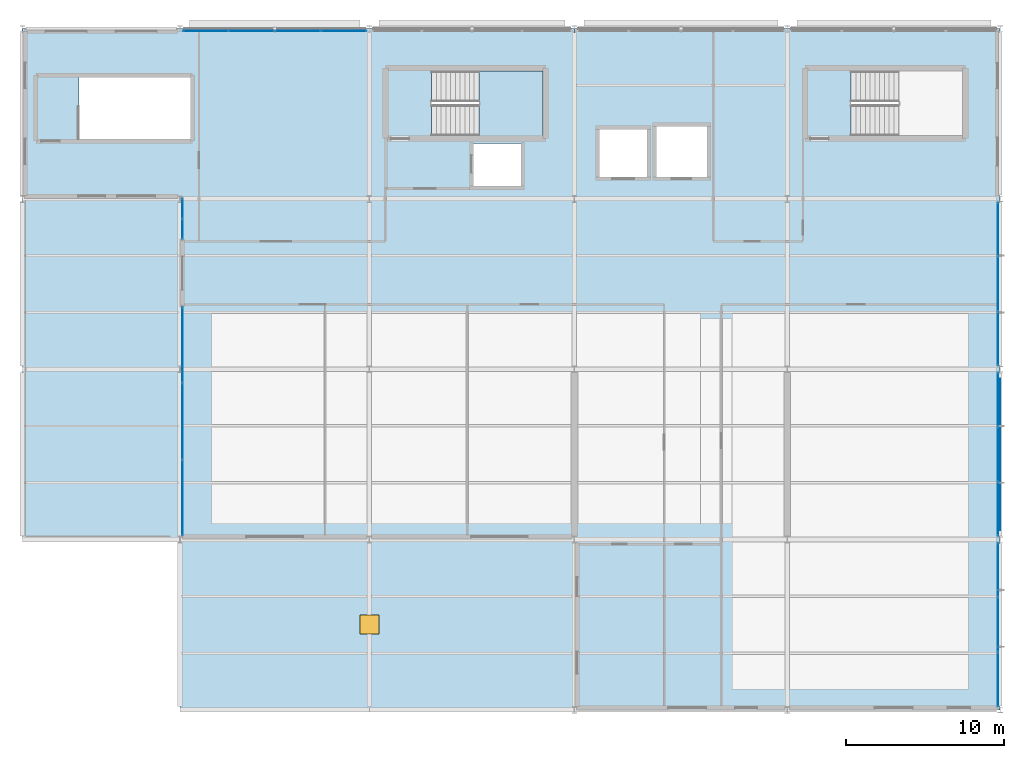
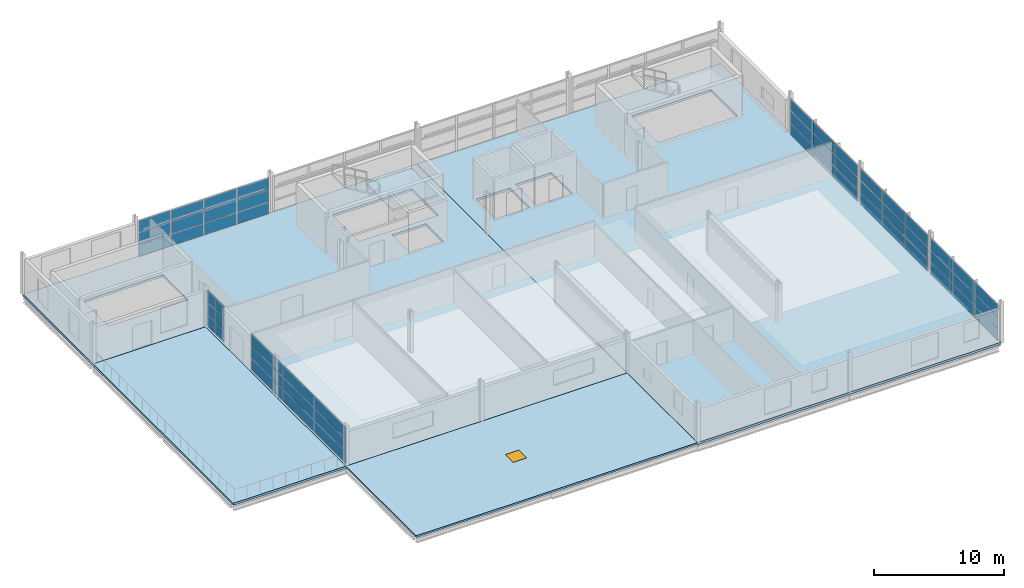
# One storey, part 26 of 33: 55 plates, 5 slabs, 1 window, 1 opening, 7 elements without a shape of their own.
"""IFC4 building model written with IfcOpenShell, lengths in metres."""

from ifc_helpers import new_model, si_unit, direction, frame, origin, origin_2d, place, context, subcontext, project, spatial, polyline, rectangle, outline, extrude, material, layer, layer_set, type_object, element, fill, aggregate, save


model = new_model("IFC4")

# Units and contexts
model_context = context("Model", 3, precision=1e-05, world=origin(), true_north=direction((0.0, 1.0)))
body_context = subcontext(model_context, "Body", "Model", "MODEL_VIEW")
ifc_project = project(units=[si_unit("LENGTHUNIT", "METRE"), si_unit("AREAUNIT", "SQUARE_METRE"), si_unit("VOLUMEUNIT", "CUBIC_METRE"), si_unit("PLANEANGLEUNIT", "RADIAN"), si_unit("MASSUNIT", "GRAM", prefix="KILO")], contexts=[model_context])

# Site, building, storey
site_placement = place(None, origin())
site = spatial("IfcSite", under=ifc_project, at=site_placement, CompositionType="ELEMENT")
building_placement = place(site_placement, origin())
building = spatial("IfcBuilding", under=site, at=building_placement, Name="Tamarisk Ironworks Central Station", CompositionType="ELEMENT")
storey_placement = place(building_placement, frame((0.0, 0.0, 21.300048828125)))
storey = spatial("IfcBuildingStorey", under=building, at=storey_placement, Name="L04", CompositionType="ELEMENT", Elevation=21.300048828125)

# Curtain wall, plates
ifc_material_1 = material(Name="Anodized aluminium alloy 6063-T6", Category="aluminium")
ifc_layer_1 = layer(ifc_material_1, 0.179931640625)
ifc_layer_set_1 = layer_set([ifc_layer_1], Name="Anodized aluminium alloy 6063-T6")
curtain_wall_type_1 = type_object("IfcCurtainWallType", Name="CW-19", PredefinedType="USERDEFINED", material=ifc_layer_set_1)
curtain_wall_1_placement = place(storey_placement, origin())
curtain_wall_1 = element("IfcCurtainWall", 1, at=curtain_wall_1_placement, inside=storey, type_object=curtain_wall_type_1, Name="Operations L04 north facade curtain wall 128", ObjectType="GLAZED CURTAIN WALL", PredefinedType="USERDEFINED")
ifc_material_2 = material(Name="Laminated solar-control low-E glass", Category="glass")
ifc_layer_2 = layer(ifc_material_2, 0.028076171875)
ifc_layer_set_2 = layer_set([ifc_layer_2], Name="Laminated solar-control low-E glass")
plate_type_1 = type_object("IfcPlateType", Name="PL-CWP28", PredefinedType="CURTAIN_PANEL", material=ifc_layer_set_2)
plate_1_placement = place(storey_placement, frame((129.627197265625, 122.25, 0.058837890625), z_axis=(0.0, 0.0, 1.0), x_axis=(1.0, 0.0, 0.0)))
plate_1 = element("IfcPlate", 2, at=plate_1_placement, type_object=plate_type_1, Name="CW19 panel 1.1", PredefinedType="CURTAIN_PANEL", context=body_context, shape_type="SweptSolid", body=[
    extrude(rectangle(XDim=2.840576171875, YDim=0.028076171875, at=origin_2d()), origin(), (0.0, 0.0, 1.0), 1.06787109375),
])
plate_2_placement = place(storey_placement, frame((129.627197265625, 122.25, 1.1796875), z_axis=(0.0, 0.0, 1.0), x_axis=(1.0, 0.0, 0.0)))
plate_2 = element("IfcPlate", 3, at=plate_2_placement, type_object=plate_type_1, Name="CW19 panel 1.2", PredefinedType="CURTAIN_PANEL", context=body_context, shape_type="SweptSolid", body=[
    extrude(rectangle(XDim=2.840576171875, YDim=0.028076171875, at=origin_2d()), origin(), (0.0, 0.0, 1.0), 1.100341796875),
])
plate_3_placement = place(storey_placement, frame((129.627197265625, 122.25, 2.3330078125), z_axis=(0.0, 0.0, 1.0), x_axis=(1.0, 0.0, 0.0)))
plate_3 = element("IfcPlate", 4, at=plate_3_placement, type_object=plate_type_1, Name="CW19 panel 1.3", PredefinedType="CURTAIN_PANEL", context=body_context, shape_type="SweptSolid", body=[
    extrude(rectangle(XDim=2.840576171875, YDim=0.028076171875, at=origin_2d()), origin(), (0.0, 0.0, 1.0), 1.06787109375),
])
plate_4_placement = place(storey_placement, frame((132.537109375, 122.25, 0.058837890625), z_axis=(0.0, 0.0, 1.0), x_axis=(1.0, 0.0, 0.0)))
plate_4 = element("IfcPlate", 5, at=plate_4_placement, type_object=plate_type_1, Name="CW19 panel 2.1", PredefinedType="CURTAIN_PANEL", context=body_context, shape_type="SweptSolid", body=[
    extrude(rectangle(XDim=2.873046875, YDim=0.028076171875, at=origin_2d()), origin(), (0.0, 0.0, 1.0), 1.06787109375),
])
plate_5_placement = place(storey_placement, frame((132.537109375, 122.25, 1.1796875), z_axis=(0.0, 0.0, 1.0), x_axis=(1.0, 0.0, 0.0)))
plate_5 = element("IfcPlate", 6, at=plate_5_placement, type_object=plate_type_1, Name="CW19 panel 2.2", PredefinedType="CURTAIN_PANEL", context=body_context, shape_type="SweptSolid", body=[
    extrude(rectangle(XDim=2.873046875, YDim=0.028076171875, at=origin_2d()), origin(), (0.0, 0.0, 1.0), 1.100341796875),
])
plate_6_placement = place(storey_placement, frame((132.537109375, 122.25, 2.3330078125), z_axis=(0.0, 0.0, 1.0), x_axis=(1.0, 0.0, 0.0)))
plate_6 = element("IfcPlate", 7, at=plate_6_placement, type_object=plate_type_1, Name="CW19 panel 2.3", PredefinedType="CURTAIN_PANEL", context=body_context, shape_type="SweptSolid", body=[
    extrude(rectangle(XDim=2.873046875, YDim=0.028076171875, at=origin_2d()), origin(), (0.0, 0.0, 1.0), 1.06787109375),
])
plate_7_placement = place(storey_placement, frame((135.462890625, 122.25, 0.058837890625), z_axis=(0.0, 0.0, 1.0), x_axis=(1.0, 0.0, 0.0)))
plate_7 = element("IfcPlate", 8, at=plate_7_placement, type_object=plate_type_1, Name="CW19 panel 3.1", PredefinedType="CURTAIN_PANEL", context=body_context, shape_type="SweptSolid", body=[
    extrude(rectangle(XDim=2.873046875, YDim=0.028076171875, at=origin_2d()), origin(), (0.0, 0.0, 1.0), 1.06787109375),
])
plate_8_placement = place(storey_placement, frame((135.462890625, 122.25, 1.1796875), z_axis=(0.0, 0.0, 1.0), x_axis=(1.0, 0.0, 0.0)))
plate_8 = element("IfcPlate", 9, at=plate_8_placement, type_object=plate_type_1, Name="CW19 panel 3.2", PredefinedType="CURTAIN_PANEL", context=body_context, shape_type="SweptSolid", body=[
    extrude(rectangle(XDim=2.873046875, YDim=0.028076171875, at=origin_2d()), origin(), (0.0, 0.0, 1.0), 1.100341796875),
])
plate_9_placement = place(storey_placement, frame((135.462890625, 122.25, 2.3330078125), z_axis=(0.0, 0.0, 1.0), x_axis=(1.0, 0.0, 0.0)))
plate_9 = element("IfcPlate", 10, at=plate_9_placement, type_object=plate_type_1, Name="CW19 panel 3.3", PredefinedType="CURTAIN_PANEL", context=body_context, shape_type="SweptSolid", body=[
    extrude(rectangle(XDim=2.873046875, YDim=0.028076171875, at=origin_2d()), origin(), (0.0, 0.0, 1.0), 1.06787109375),
])
plate_10_placement = place(storey_placement, frame((138.372802734375, 122.25, 0.058837890625), z_axis=(0.0, 0.0, 1.0), x_axis=(1.0, 0.0, 0.0)))
plate_10 = element("IfcPlate", 11, at=plate_10_placement, type_object=plate_type_1, Name="CW19 panel 4.1", PredefinedType="CURTAIN_PANEL", context=body_context, shape_type="SweptSolid", body=[
    extrude(rectangle(XDim=2.840576171875, YDim=0.028076171875, at=origin_2d()), origin(), (0.0, 0.0, 1.0), 1.06787109375),
])
plate_11_placement = place(storey_placement, frame((138.372802734375, 122.25, 1.1796875), z_axis=(0.0, 0.0, 1.0), x_axis=(1.0, 0.0, 0.0)))
plate_11 = element("IfcPlate", 12, at=plate_11_placement, type_object=plate_type_1, Name="CW19 panel 4.2", PredefinedType="CURTAIN_PANEL", context=body_context, shape_type="SweptSolid", body=[
    extrude(rectangle(XDim=2.840576171875, YDim=0.028076171875, at=origin_2d()), origin(), (0.0, 0.0, 1.0), 1.100341796875),
])
plate_12_placement = place(storey_placement, frame((138.372802734375, 122.25, 2.3330078125), z_axis=(0.0, 0.0, 1.0), x_axis=(1.0, 0.0, 0.0)))
plate_12 = element("IfcPlate", 13, at=plate_12_placement, type_object=plate_type_1, Name="CW19 panel 4.3", PredefinedType="CURTAIN_PANEL", context=body_context, shape_type="SweptSolid", body=[
    extrude(rectangle(XDim=2.840576171875, YDim=0.028076171875, at=origin_2d()), origin(), (0.0, 0.0, 1.0), 1.06787109375),
])
aggregate(curtain_wall_1, [plate_1, plate_2, plate_3, plate_4, plate_5, plate_6, plate_7, plate_8, plate_9, plate_10, plate_11, plate_12])

ifc_layer_3 = layer(ifc_material_1, 0.179931640625)
ifc_layer_set_3 = layer_set([ifc_layer_3], Name="Anodized aluminium alloy 6063-T6")
curtain_wall_type_2 = type_object("IfcCurtainWallType", Name="CW-22", PredefinedType="USERDEFINED", material=ifc_layer_set_3)
curtain_wall_2_placement = place(storey_placement, origin())
curtain_wall_2 = element("IfcCurtainWall", 14, at=curtain_wall_2_placement, inside=storey, type_object=curtain_wall_type_2, Name="Operations L04 east facade curtain wall 079", ObjectType="GLAZED CURTAIN WALL", PredefinedType="USERDEFINED")
plate_13_placement = place(storey_placement, frame((179.85009765625, 81.135009765625, 0.058837890625), z_axis=(0.0, 0.0, 1.0), x_axis=(0.0, 1.0, 0.0)))
plate_13 = element("IfcPlate", 15, at=plate_13_placement, type_object=plate_type_1, Name="CW22 panel 1.1", PredefinedType="CURTAIN_PANEL", context=body_context, shape_type="SweptSolid", body=[
    extrude(rectangle(XDim=3.395751953125, YDim=0.028076171875, at=origin_2d()), origin(), (0.0, 0.0, 1.0), 1.06787109375),
])
plate_14_placement = place(storey_placement, frame((179.85009765625, 81.135009765625, 1.1796875), z_axis=(0.0, 0.0, 1.0), x_axis=(0.0, 1.0, 0.0)))
plate_14 = element("IfcPlate", 16, at=plate_14_placement, type_object=plate_type_1, Name="CW22 panel 1.2", PredefinedType="CURTAIN_PANEL", context=body_context, shape_type="SweptSolid", body=[
    extrude(rectangle(XDim=3.395751953125, YDim=0.028076171875, at=origin_2d()), origin(), (0.0, 0.0, 1.0), 1.100341796875),
])
plate_15_placement = place(storey_placement, frame((179.85009765625, 81.135009765625, 2.3330078125), z_axis=(0.0, 0.0, 1.0), x_axis=(0.0, 1.0, 0.0)))
plate_15 = element("IfcPlate", 17, at=plate_15_placement, type_object=plate_type_1, Name="CW22 panel 1.3", PredefinedType="CURTAIN_PANEL", context=body_context, shape_type="SweptSolid", body=[
    extrude(rectangle(XDim=3.395751953125, YDim=0.028076171875, at=origin_2d()), origin(), (0.0, 0.0, 1.0), 1.06787109375),
])
plate_16_placement = place(storey_placement, frame((179.85009765625, 84.60009765625, 0.058837890625), z_axis=(0.0, 0.0, 1.0), x_axis=(0.0, 1.0, 0.0)))
plate_16 = element("IfcPlate", 18, at=plate_16_placement, type_object=plate_type_1, Name="CW22 panel 2.1", PredefinedType="CURTAIN_PANEL", context=body_context, shape_type="SweptSolid", body=[
    extrude(rectangle(XDim=3.42822265625, YDim=0.028076171875, at=origin_2d()), origin(), (0.0, 0.0, 1.0), 1.06787109375),
])
plate_17_placement = place(storey_placement, frame((179.85009765625, 84.60009765625, 1.1796875), z_axis=(0.0, 0.0, 1.0), x_axis=(0.0, 1.0, 0.0)))
plate_17 = element("IfcPlate", 19, at=plate_17_placement, type_object=plate_type_1, Name="CW22 panel 2.2", PredefinedType="CURTAIN_PANEL", context=body_context, shape_type="SweptSolid", body=[
    extrude(rectangle(XDim=3.42822265625, YDim=0.028076171875, at=origin_2d()), origin(), (0.0, 0.0, 1.0), 1.100341796875),
])
plate_18_placement = place(storey_placement, frame((179.85009765625, 84.60009765625, 2.3330078125), z_axis=(0.0, 0.0, 1.0), x_axis=(0.0, 1.0, 0.0)))
plate_18 = element("IfcPlate", 20, at=plate_18_placement, type_object=plate_type_1, Name="CW22 panel 2.3", PredefinedType="CURTAIN_PANEL", context=body_context, shape_type="SweptSolid", body=[
    extrude(rectangle(XDim=3.42822265625, YDim=0.028076171875, at=origin_2d()), origin(), (0.0, 0.0, 1.0), 1.06787109375),
])
plate_19_placement = place(storey_placement, frame((179.85009765625, 88.065185546875, 0.058837890625), z_axis=(0.0, 0.0, 1.0), x_axis=(0.0, 1.0, 0.0)))
plate_19 = element("IfcPlate", 21, at=plate_19_placement, type_object=plate_type_1, Name="CW22 panel 3.1", PredefinedType="CURTAIN_PANEL", context=body_context, shape_type="SweptSolid", body=[
    extrude(rectangle(XDim=3.395751953125, YDim=0.028076171875, at=origin_2d()), origin(), (0.0, 0.0, 1.0), 1.06787109375),
])
plate_20_placement = place(storey_placement, frame((179.85009765625, 88.065185546875, 1.1796875), z_axis=(0.0, 0.0, 1.0), x_axis=(0.0, 1.0, 0.0)))
plate_20 = element("IfcPlate", 22, at=plate_20_placement, type_object=plate_type_1, Name="CW22 panel 3.2", PredefinedType="CURTAIN_PANEL", context=body_context, shape_type="SweptSolid", body=[
    extrude(rectangle(XDim=3.395751953125, YDim=0.028076171875, at=origin_2d()), origin(), (0.0, 0.0, 1.0), 1.100341796875),
])
plate_21_placement = place(storey_placement, frame((179.85009765625, 88.065185546875, 2.3330078125), z_axis=(0.0, 0.0, 1.0), x_axis=(0.0, 1.0, 0.0)))
plate_21 = element("IfcPlate", 23, at=plate_21_placement, type_object=plate_type_1, Name="CW22 panel 3.3", PredefinedType="CURTAIN_PANEL", context=body_context, shape_type="SweptSolid", body=[
    extrude(rectangle(XDim=3.395751953125, YDim=0.028076171875, at=origin_2d()), origin(), (0.0, 0.0, 1.0), 1.06787109375),
])
aggregate(curtain_wall_2, [plate_13, plate_14, plate_15, plate_16, plate_17, plate_18, plate_19, plate_20, plate_21])

curtain_wall_3_placement = place(storey_placement, origin())
curtain_wall_3 = element("IfcCurtainWall", 24, at=curtain_wall_3_placement, inside=storey, type_object=curtain_wall_type_2, Name="Operations L04 east facade curtain wall 090", ObjectType="GLAZED CURTAIN WALL", PredefinedType="USERDEFINED")
plate_22_placement = place(storey_placement, frame((179.85009765625, 91.934814453125, 0.058837890625), z_axis=(0.0, 0.0, 1.0), x_axis=(0.0, 1.0, 0.0)))
plate_22 = element("IfcPlate", 25, at=plate_22_placement, type_object=plate_type_1, Name="CW22 panel 1.1", PredefinedType="CURTAIN_PANEL", context=body_context, shape_type="SweptSolid", body=[
    extrude(rectangle(XDim=3.395751953125, YDim=0.028076171875, at=origin_2d()), origin(), (0.0, 0.0, 1.0), 1.06787109375),
])
plate_23_placement = place(storey_placement, frame((179.85009765625, 91.934814453125, 1.1796875), z_axis=(0.0, 0.0, 1.0), x_axis=(0.0, 1.0, 0.0)))
plate_23 = element("IfcPlate", 26, at=plate_23_placement, type_object=plate_type_1, Name="CW22 panel 1.2", PredefinedType="CURTAIN_PANEL", context=body_context, shape_type="SweptSolid", body=[
    extrude(rectangle(XDim=3.395751953125, YDim=0.028076171875, at=origin_2d()), origin(), (0.0, 0.0, 1.0), 1.100341796875),
])
plate_24_placement = place(storey_placement, frame((179.85009765625, 91.934814453125, 2.3330078125), z_axis=(0.0, 0.0, 1.0), x_axis=(0.0, 1.0, 0.0)))
plate_24 = element("IfcPlate", 27, at=plate_24_placement, type_object=plate_type_1, Name="CW22 panel 1.3", PredefinedType="CURTAIN_PANEL", context=body_context, shape_type="SweptSolid", body=[
    extrude(rectangle(XDim=3.395751953125, YDim=0.028076171875, at=origin_2d()), origin(), (0.0, 0.0, 1.0), 1.06787109375),
])
plate_25_placement = place(storey_placement, frame((179.85009765625, 95.39990234375, 0.058837890625), z_axis=(0.0, 0.0, 1.0), x_axis=(0.0, 1.0, 0.0)))
plate_25 = element("IfcPlate", 28, at=plate_25_placement, type_object=plate_type_1, Name="CW22 panel 2.1", PredefinedType="CURTAIN_PANEL", context=body_context, shape_type="SweptSolid", body=[
    extrude(rectangle(XDim=3.42822265625, YDim=0.028076171875, at=origin_2d()), origin(), (0.0, 0.0, 1.0), 1.06787109375),
])
plate_26_placement = place(storey_placement, frame((179.85009765625, 95.39990234375, 1.1796875), z_axis=(0.0, 0.0, 1.0), x_axis=(0.0, 1.0, 0.0)))
plate_26 = element("IfcPlate", 29, at=plate_26_placement, type_object=plate_type_1, Name="CW22 panel 2.2", PredefinedType="CURTAIN_PANEL", context=body_context, shape_type="SweptSolid", body=[
    extrude(rectangle(XDim=3.42822265625, YDim=0.028076171875, at=origin_2d()), origin(), (0.0, 0.0, 1.0), 1.100341796875),
])
plate_27_placement = place(storey_placement, frame((179.85009765625, 95.39990234375, 2.3330078125), z_axis=(0.0, 0.0, 1.0), x_axis=(0.0, 1.0, 0.0)))
plate_27 = element("IfcPlate", 30, at=plate_27_placement, type_object=plate_type_1, Name="CW22 panel 2.3", PredefinedType="CURTAIN_PANEL", context=body_context, shape_type="SweptSolid", body=[
    extrude(rectangle(XDim=3.42822265625, YDim=0.028076171875, at=origin_2d()), origin(), (0.0, 0.0, 1.0), 1.06787109375),
])
plate_28_placement = place(storey_placement, frame((179.85009765625, 98.864990234375, 0.058837890625), z_axis=(0.0, 0.0, 1.0), x_axis=(0.0, 1.0, 0.0)))
plate_28 = element("IfcPlate", 31, at=plate_28_placement, type_object=plate_type_1, Name="CW22 panel 3.1", PredefinedType="CURTAIN_PANEL", context=body_context, shape_type="SweptSolid", body=[
    extrude(rectangle(XDim=3.395751953125, YDim=0.028076171875, at=origin_2d()), origin(), (0.0, 0.0, 1.0), 1.06787109375),
])
plate_29_placement = place(storey_placement, frame((179.85009765625, 98.864990234375, 1.1796875), z_axis=(0.0, 0.0, 1.0), x_axis=(0.0, 1.0, 0.0)))
plate_29 = element("IfcPlate", 32, at=plate_29_placement, type_object=plate_type_1, Name="CW22 panel 3.2", PredefinedType="CURTAIN_PANEL", context=body_context, shape_type="SweptSolid", body=[
    extrude(rectangle(XDim=3.395751953125, YDim=0.028076171875, at=origin_2d()), origin(), (0.0, 0.0, 1.0), 1.100341796875),
])
plate_30_placement = place(storey_placement, frame((179.85009765625, 98.864990234375, 2.3330078125), z_axis=(0.0, 0.0, 1.0), x_axis=(0.0, 1.0, 0.0)))
plate_30 = element("IfcPlate", 33, at=plate_30_placement, type_object=plate_type_1, Name="CW22 panel 3.3", PredefinedType="CURTAIN_PANEL", context=body_context, shape_type="SweptSolid", body=[
    extrude(rectangle(XDim=3.395751953125, YDim=0.028076171875, at=origin_2d()), origin(), (0.0, 0.0, 1.0), 1.06787109375),
])
aggregate(curtain_wall_3, [plate_22, plate_23, plate_24, plate_25, plate_26, plate_27, plate_28, plate_29, plate_30])

curtain_wall_4_placement = place(storey_placement, origin())
curtain_wall_4 = element("IfcCurtainWall", 34, at=curtain_wall_4_placement, inside=storey, type_object=curtain_wall_type_2, Name="Operations L04 east facade curtain wall 100", ObjectType="GLAZED CURTAIN WALL", PredefinedType="USERDEFINED")
plate_31_placement = place(storey_placement, frame((179.85009765625, 102.73486328125, 0.058837890625), z_axis=(0.0, 0.0, 1.0), x_axis=(0.0, 1.0, 0.0)))
plate_31 = element("IfcPlate", 35, at=plate_31_placement, type_object=plate_type_1, Name="CW22 panel 1.1", PredefinedType="CURTAIN_PANEL", context=body_context, shape_type="SweptSolid", body=[
    extrude(rectangle(XDim=3.395751953125, YDim=0.028076171875, at=origin_2d()), origin(), (0.0, 0.0, 1.0), 1.06787109375),
])
plate_32_placement = place(storey_placement, frame((179.85009765625, 102.73486328125, 1.1796875), z_axis=(0.0, 0.0, 1.0), x_axis=(0.0, 1.0, 0.0)))
plate_32 = element("IfcPlate", 36, at=plate_32_placement, type_object=plate_type_1, Name="CW22 panel 1.2", PredefinedType="CURTAIN_PANEL", context=body_context, shape_type="SweptSolid", body=[
    extrude(rectangle(XDim=3.395751953125, YDim=0.028076171875, at=origin_2d()), origin(), (0.0, 0.0, 1.0), 1.100341796875),
])
plate_33_placement = place(storey_placement, frame((179.85009765625, 102.73486328125, 2.3330078125), z_axis=(0.0, 0.0, 1.0), x_axis=(0.0, 1.0, 0.0)))
plate_33 = element("IfcPlate", 37, at=plate_33_placement, type_object=plate_type_1, Name="CW22 panel 1.3", PredefinedType="CURTAIN_PANEL", context=body_context, shape_type="SweptSolid", body=[
    extrude(rectangle(XDim=3.395751953125, YDim=0.028076171875, at=origin_2d()), origin(), (0.0, 0.0, 1.0), 1.06787109375),
])
plate_34_placement = place(storey_placement, frame((179.85009765625, 106.199951171875, 0.058837890625), z_axis=(0.0, 0.0, 1.0), x_axis=(0.0, 1.0, 0.0)))
plate_34 = element("IfcPlate", 38, at=plate_34_placement, type_object=plate_type_1, Name="CW22 panel 2.1", PredefinedType="CURTAIN_PANEL", context=body_context, shape_type="SweptSolid", body=[
    extrude(rectangle(XDim=3.42822265625, YDim=0.028076171875, at=origin_2d()), origin(), (0.0, 0.0, 1.0), 1.06787109375),
])
plate_35_placement = place(storey_placement, frame((179.85009765625, 106.199951171875, 1.1796875), z_axis=(0.0, 0.0, 1.0), x_axis=(0.0, 1.0, 0.0)))
plate_35 = element("IfcPlate", 39, at=plate_35_placement, type_object=plate_type_1, Name="CW22 panel 2.2", PredefinedType="CURTAIN_PANEL", context=body_context, shape_type="SweptSolid", body=[
    extrude(rectangle(XDim=3.42822265625, YDim=0.028076171875, at=origin_2d()), origin(), (0.0, 0.0, 1.0), 1.100341796875),
])
plate_36_placement = place(storey_placement, frame((179.85009765625, 106.199951171875, 2.3330078125), z_axis=(0.0, 0.0, 1.0), x_axis=(0.0, 1.0, 0.0)))
plate_36 = element("IfcPlate", 40, at=plate_36_placement, type_object=plate_type_1, Name="CW22 panel 2.3", PredefinedType="CURTAIN_PANEL", context=body_context, shape_type="SweptSolid", body=[
    extrude(rectangle(XDim=3.42822265625, YDim=0.028076171875, at=origin_2d()), origin(), (0.0, 0.0, 1.0), 1.06787109375),
])
plate_37_placement = place(storey_placement, frame((179.85009765625, 109.6650390625, 0.058837890625), z_axis=(0.0, 0.0, 1.0), x_axis=(0.0, 1.0, 0.0)))
plate_37 = element("IfcPlate", 41, at=plate_37_placement, type_object=plate_type_1, Name="CW22 panel 3.1", PredefinedType="CURTAIN_PANEL", context=body_context, shape_type="SweptSolid", body=[
    extrude(rectangle(XDim=3.395751953125, YDim=0.028076171875, at=origin_2d()), origin(), (0.0, 0.0, 1.0), 1.06787109375),
])
plate_38_placement = place(storey_placement, frame((179.85009765625, 109.6650390625, 1.1796875), z_axis=(0.0, 0.0, 1.0), x_axis=(0.0, 1.0, 0.0)))
plate_38 = element("IfcPlate", 42, at=plate_38_placement, type_object=plate_type_1, Name="CW22 panel 3.2", PredefinedType="CURTAIN_PANEL", context=body_context, shape_type="SweptSolid", body=[
    extrude(rectangle(XDim=3.395751953125, YDim=0.028076171875, at=origin_2d()), origin(), (0.0, 0.0, 1.0), 1.100341796875),
])
plate_39_placement = place(storey_placement, frame((179.85009765625, 109.6650390625, 2.3330078125), z_axis=(0.0, 0.0, 1.0), x_axis=(0.0, 1.0, 0.0)))
plate_39 = element("IfcPlate", 43, at=plate_39_placement, type_object=plate_type_1, Name="CW22 panel 3.3", PredefinedType="CURTAIN_PANEL", context=body_context, shape_type="SweptSolid", body=[
    extrude(rectangle(XDim=3.395751953125, YDim=0.028076171875, at=origin_2d()), origin(), (0.0, 0.0, 1.0), 1.06787109375),
])
aggregate(curtain_wall_4, [plate_31, plate_32, plate_33, plate_34, plate_35, plate_36, plate_37, plate_38, plate_39])

curtain_wall_5_placement = place(storey_placement, origin())
curtain_wall_5 = element("IfcCurtainWall", 44, at=curtain_wall_5_placement, inside=storey, type_object=curtain_wall_type_1, Name="Crown terrace overlook curtain wall L04-156", ObjectType="GLAZED CURTAIN WALL", PredefinedType="USERDEFINED")
plate_40_placement = place(storey_placement, frame((128.14990234375, 92.64794921875, 0.058837890625), z_axis=(0.0, 0.0, 1.0), x_axis=(0.0, 1.0, 0.0)))
plate_40 = element("IfcPlate", 45, at=plate_40_placement, type_object=plate_type_1, Name="CW19 panel 1.1", PredefinedType="CURTAIN_PANEL", context=body_context, shape_type="SweptSolid", body=[
    extrude(rectangle(XDim=4.78173828125, YDim=0.028076171875, at=origin_2d()), origin(), (0.0, 0.0, 1.0), 1.06787109375),
])
plate_41_placement = place(storey_placement, frame((128.14990234375, 92.64794921875, 1.1796875), z_axis=(0.0, 0.0, 1.0), x_axis=(0.0, 1.0, 0.0)))
plate_41 = element("IfcPlate", 46, at=plate_41_placement, type_object=plate_type_1, Name="CW19 panel 1.2", PredefinedType="CURTAIN_PANEL", context=body_context, shape_type="SweptSolid", body=[
    extrude(rectangle(XDim=4.78173828125, YDim=0.028076171875, at=origin_2d()), origin(), (0.0, 0.0, 1.0), 1.100341796875),
])
plate_42_placement = place(storey_placement, frame((128.14990234375, 92.64794921875, 2.3330078125), z_axis=(0.0, 0.0, 1.0), x_axis=(0.0, 1.0, 0.0)))
plate_42 = element("IfcPlate", 47, at=plate_42_placement, type_object=plate_type_1, Name="CW19 panel 1.3", PredefinedType="CURTAIN_PANEL", context=body_context, shape_type="SweptSolid", body=[
    extrude(rectangle(XDim=4.78173828125, YDim=0.028076171875, at=origin_2d()), origin(), (0.0, 0.0, 1.0), 1.06787109375),
])
plate_43_placement = place(storey_placement, frame((128.14990234375, 97.4990234375, 0.058837890625), z_axis=(0.0, 0.0, 1.0), x_axis=(0.0, 1.0, 0.0)))
plate_43 = element("IfcPlate", 48, at=plate_43_placement, type_object=plate_type_1, Name="CW19 panel 2.1", PredefinedType="CURTAIN_PANEL", context=body_context, shape_type="SweptSolid", body=[
    extrude(rectangle(XDim=4.814453125, YDim=0.028076171875, at=origin_2d()), origin(), (0.0, 0.0, 1.0), 1.06787109375),
])
plate_44_placement = place(storey_placement, frame((128.14990234375, 97.4990234375, 1.1796875), z_axis=(0.0, 0.0, 1.0), x_axis=(0.0, 1.0, 0.0)))
plate_44 = element("IfcPlate", 49, at=plate_44_placement, type_object=plate_type_1, Name="CW19 panel 2.2", PredefinedType="CURTAIN_PANEL", context=body_context, shape_type="SweptSolid", body=[
    extrude(rectangle(XDim=4.814453125, YDim=0.028076171875, at=origin_2d()), origin(), (0.0, 0.0, 1.0), 1.100341796875),
])
plate_45_placement = place(storey_placement, frame((128.14990234375, 97.4990234375, 2.3330078125), z_axis=(0.0, 0.0, 1.0), x_axis=(0.0, 1.0, 0.0)))
plate_45 = element("IfcPlate", 50, at=plate_45_placement, type_object=plate_type_1, Name="CW19 panel 2.3", PredefinedType="CURTAIN_PANEL", context=body_context, shape_type="SweptSolid", body=[
    extrude(rectangle(XDim=4.814453125, YDim=0.028076171875, at=origin_2d()), origin(), (0.0, 0.0, 1.0), 1.06787109375),
])
plate_46_placement = place(storey_placement, frame((128.14990234375, 102.35009765625, 0.058837890625), z_axis=(0.0, 0.0, 1.0), x_axis=(0.0, 1.0, 0.0)))
plate_46 = element("IfcPlate", 51, at=plate_46_placement, type_object=plate_type_1, Name="CW19 panel 3.1", PredefinedType="CURTAIN_PANEL", context=body_context, shape_type="SweptSolid", body=[
    extrude(rectangle(XDim=4.78173828125, YDim=0.028076171875, at=origin_2d()), origin(), (0.0, 0.0, 1.0), 1.06787109375),
])
plate_47_placement = place(storey_placement, frame((128.14990234375, 102.35009765625, 1.1796875), z_axis=(0.0, 0.0, 1.0), x_axis=(0.0, 1.0, 0.0)))
plate_47 = element("IfcPlate", 52, at=plate_47_placement, type_object=plate_type_1, Name="CW19 panel 3.2", PredefinedType="CURTAIN_PANEL", context=body_context, shape_type="SweptSolid", body=[
    extrude(rectangle(XDim=4.78173828125, YDim=0.028076171875, at=origin_2d()), origin(), (0.0, 0.0, 1.0), 1.100341796875),
])
plate_48_placement = place(storey_placement, frame((128.14990234375, 102.35009765625, 2.3330078125), z_axis=(0.0, 0.0, 1.0), x_axis=(0.0, 1.0, 0.0)))
plate_48 = element("IfcPlate", 53, at=plate_48_placement, type_object=plate_type_1, Name="CW19 panel 3.3", PredefinedType="CURTAIN_PANEL", context=body_context, shape_type="SweptSolid", body=[
    extrude(rectangle(XDim=4.78173828125, YDim=0.028076171875, at=origin_2d()), origin(), (0.0, 0.0, 1.0), 1.06787109375),
])
aggregate(curtain_wall_5, [plate_40, plate_41, plate_42, plate_43, plate_44, plate_45, plate_46, plate_47, plate_48])

curtain_wall_6_placement = place(storey_placement, origin())
curtain_wall_6 = element("IfcCurtainWall", 54, at=curtain_wall_6_placement, inside=storey, type_object=curtain_wall_type_1, Name="Crown terrace overlook curtain wall L04-157", ObjectType="GLAZED CURTAIN WALL", PredefinedType="USERDEFINED")
plate_49_placement = place(storey_placement, frame((128.14990234375, 109.6787109375, 0.058837890625), z_axis=(0.0, 0.0, 1.0), x_axis=(0.0, 1.0, 0.0)))
plate_49 = element("IfcPlate", 55, at=plate_49_placement, type_object=plate_type_1, Name="CW19 panel 1.1", PredefinedType="CURTAIN_PANEL", context=body_context, shape_type="SweptSolid", body=[
    extrude(rectangle(XDim=1.239501953125, YDim=0.028076171875, at=origin_2d()), origin(), (0.0, 0.0, 1.0), 1.06787109375),
])
plate_50_placement = place(storey_placement, frame((128.14990234375, 109.6787109375, 1.1796875), z_axis=(0.0, 0.0, 1.0), x_axis=(0.0, 1.0, 0.0)))
plate_50 = element("IfcPlate", 56, at=plate_50_placement, type_object=plate_type_1, Name="CW19 panel 1.2", PredefinedType="CURTAIN_PANEL", context=body_context, shape_type="SweptSolid", body=[
    extrude(rectangle(XDim=1.239501953125, YDim=0.028076171875, at=origin_2d()), origin(), (0.0, 0.0, 1.0), 1.100341796875),
])
plate_51_placement = place(storey_placement, frame((128.14990234375, 109.6787109375, 2.3330078125), z_axis=(0.0, 0.0, 1.0), x_axis=(0.0, 1.0, 0.0)))
plate_51 = element("IfcPlate", 57, at=plate_51_placement, type_object=plate_type_1, Name="CW19 panel 1.3", PredefinedType="CURTAIN_PANEL", context=body_context, shape_type="SweptSolid", body=[
    extrude(rectangle(XDim=1.239501953125, YDim=0.028076171875, at=origin_2d()), origin(), (0.0, 0.0, 1.0), 1.06787109375),
])
plate_52_placement = place(storey_placement, frame((128.14990234375, 110.97119140625, 0.058837890625), z_axis=(0.0, 0.0, 1.0), x_axis=(0.0, 1.0, 0.0)))
plate_52 = element("IfcPlate", 58, at=plate_52_placement, type_object=plate_type_1, Name="CW19 panel 2.1", PredefinedType="CURTAIN_PANEL", context=body_context, shape_type="SweptSolid", body=[
    extrude(rectangle(XDim=1.239501953125, YDim=0.028076171875, at=origin_2d()), origin(), (0.0, 0.0, 1.0), 1.06787109375),
])
plate_53_placement = place(storey_placement, frame((128.14990234375, 110.97119140625, 1.1796875), z_axis=(0.0, 0.0, 1.0), x_axis=(0.0, 1.0, 0.0)))
plate_53 = element("IfcPlate", 59, at=plate_53_placement, type_object=plate_type_1, Name="CW19 panel 2.2", PredefinedType="CURTAIN_PANEL", context=body_context, shape_type="SweptSolid", body=[
    extrude(rectangle(XDim=1.239501953125, YDim=0.028076171875, at=origin_2d()), origin(), (0.0, 0.0, 1.0), 1.100341796875),
])
plate_54_placement = place(storey_placement, frame((128.14990234375, 110.97119140625, 2.3330078125), z_axis=(0.0, 0.0, 1.0), x_axis=(0.0, 1.0, 0.0)))
plate_54 = element("IfcPlate", 60, at=plate_54_placement, type_object=plate_type_1, Name="CW19 panel 2.3", PredefinedType="CURTAIN_PANEL", context=body_context, shape_type="SweptSolid", body=[
    extrude(rectangle(XDim=1.239501953125, YDim=0.028076171875, at=origin_2d()), origin(), (0.0, 0.0, 1.0), 1.06787109375),
])
aggregate(curtain_wall_6, [plate_49, plate_50, plate_51, plate_52, plate_53, plate_54])

# Plate
ifc_layer_4 = layer(ifc_material_1, 0.008056640625)
ifc_layer_set_4 = layer_set([ifc_layer_4], Name="Anodized aluminium alloy 6063-T6")
plate_type_2 = type_object("IfcPlateType", Name="PL-SP08", PredefinedType="SHEET", material=ifc_layer_set_4)
plate_55_placement = place(storey_placement, frame((179.998046875, 95.39990234375, -0.240234375), z_axis=(0.0, 0.0, 1.0), x_axis=(1.0, 0.0, 0.0)))
element("IfcPlate", 61, at=plate_55_placement, inside=storey, type_object=plate_type_2, Name="L04 east anodised spandrel fascia plate 019", PredefinedType="SHEET", context=body_context, shape_type="SweptSolid", body=[
    extrude(rectangle(XDim=0.008056640625, YDim=9.60009765625, at=origin_2d()), origin(), (0.0, 0.0, 1.0), 0.239990234375),
])

# Slabs
ifc_material_3 = material(Name="Concrete C35/45", Category="concrete")
ifc_layer_5 = layer(ifc_material_3, 0.219970703125)
ifc_layer_set_5 = layer_set([ifc_layer_5], Name="Concrete C35/45")
slab_type_1 = type_object("IfcSlabType", Name="SL-FL220", PredefinedType="FLOOR", material=ifc_layer_set_5)
slab_1_placement = place(storey_placement, frame((0.0, 0.0, -0.219970703125)))
element("IfcSlab", 62, at=slab_1_placement, inside=storey, type_object=slab_type_1, Name="L04 Operations and Training Floor Slab V5-NW", PredefinedType="FLOOR", context=body_context, shape_type="SweptSolid", body=[
    extrude(outline(polyline([(128.0, 90.0), (153.0, 90.0), (153.0, 122.39990234375), (118.0, 122.39990234375), (118.0, 111.60009765625), (128.0, 111.60009765625), (128.0, 90.0)]), holes=[polyline([(143.949951171875, 115.60009765625), (151.0, 115.60009765625), (151.0, 119.699951171875), (143.949951171875, 119.699951171875), (143.949951171875, 115.60009765625)]), polyline([(121.60009765625, 115.39990234375), (128.64990234375, 115.39990234375), (128.64990234375, 119.300048828125), (121.60009765625, 119.300048828125), (121.60009765625, 115.39990234375)]), polyline([(146.60009765625, 112.39990234375), (149.60009765625, 112.39990234375), (149.60009765625, 115.10009765625), (146.60009765625, 115.10009765625), (146.60009765625, 112.39990234375)])]), origin(), (0.0, 0.0, 1.0), 0.219970703125),
])
slab_2_placement = place(storey_placement, frame((0.0, 0.0, -0.219970703125)))
element("IfcSlab", 63, at=slab_2_placement, inside=storey, type_object=slab_type_1, Name="L04 Operations and Training Floor Slab V5-NE", PredefinedType="FLOOR", context=body_context, shape_type="SweptSolid", body=[
    extrude(outline(polyline([(153.0, 79.199951171875), (180.0, 79.199951171875), (180.0, 122.39990234375), (153.0, 122.39990234375), (153.0, 79.199951171875)]), holes=[polyline([(170.550048828125, 115.60009765625), (177.60009765625, 115.60009765625), (177.60009765625, 119.699951171875), (170.550048828125, 119.699951171875), (170.550048828125, 115.60009765625)]), polyline([(154.60009765625, 113.0), (157.60009765625, 113.0), (157.60009765625, 116.0), (154.60009765625, 116.0), (154.60009765625, 113.0)]), polyline([(158.199951171875, 113.0), (161.39990234375, 113.0), (161.39990234375, 116.199951171875), (158.199951171875, 116.199951171875), (158.199951171875, 113.0)])]), origin(), (0.0, 0.0, 1.0), 0.219970703125),
])

# Stair, slab
stair_type = type_object("IfcStairType", Name="ST-CORE-A", PredefinedType="HALF_TURN_STAIR", material=ifc_material_3)
stair_placement = place(storey_placement, origin())
stair = element("IfcStair", 64, at=stair_placement, inside=storey, type_object=stair_type, Name="L04 Firefighting Exit Stair Core 1", PredefinedType="HALF_TURN_STAIR")
ifc_layer_6 = layer(ifc_material_3, 0.215087890625)
ifc_layer_set_6 = layer_set([ifc_layer_6], Name="Concrete C35/45")
slab_type_2 = type_object("IfcSlabType", Name="SL-LD220", PredefinedType="LANDING", material=ifc_layer_set_6)
slab_3_placement = place(storey_placement, frame((0.0, 0.0, 1.75)))
slab_3 = element("IfcSlab", 65, at=slab_3_placement, type_object=slab_type_2, Name="ST-C1 landing 1", PredefinedType="LANDING", context=body_context, shape_type="SweptSolid", body=[
    extrude(outline(polyline([(146.949951171875, 115.60009765625), (151.0, 115.60009765625), (151.0, 119.699951171875), (146.949951171875, 119.699951171875), (146.949951171875, 115.60009765625)])), origin(), (0.0, 0.0, 1.0), 0.199951171875),
])
aggregate(stair, [slab_3])

# Slab, opening, window
ifc_layer_7 = layer(ifc_material_3, 0.159912109375)
ifc_layer_set_7 = layer_set([ifc_layer_7], Name="Concrete C35/45")
slab_type_3 = type_object("IfcSlabType", Name="SL-RF160", PredefinedType="ROOF", material=ifc_layer_set_7)
slab_4_placement = place(storey_placement, frame((0.0, 0.0, -0.16015625)))
slab_4 = element("IfcSlab", 66, at=slab_4_placement, inside=storey, type_object=slab_type_3, Name="L04 Setback Roof Slab V5-RF4B", PredefinedType="ROOF", context=body_context, shape_type="SweptSolid", body=[
    extrude(outline(polyline([(128.0, 79.199951171875), (153.0, 79.199951171875), (153.0, 90.0), (128.0, 90.0), (128.0, 79.199951171875)])), origin(), (0.0, 0.0, 1.0), 0.16015625),
])
opening_placement = place(slab_4_placement, frame((140.0, 84.60009765625, 0.0)))
opening = element("IfcOpeningElement", 67, at=opening_placement, cuts=slab_4, Name="Opening RH02", PredefinedType="OPENING", context=body_context, shape_type="SweptSolid", body=[
    extrude(rectangle(XDim=1.199951171875, YDim=1.199951171875, at=origin_2d()), frame((0.0, 0.0, -0.011962890625)), (0.0, 0.0, 1.0), 0.18408203125),
])
window_type = type_object("IfcWindowType", Name="SK-06", PartitioningType="SINGLE_PANEL", PredefinedType="USERDEFINED", material=ifc_material_2)
window_placement = place(opening_placement, frame((0.0, 0.0, 0.105224609375)))
window = element("IfcWindow", 68, at=window_placement, inside=storey, type_object=window_type, Name="L04 roof access hatch 009", ObjectType="ROOF HATCH", OverallHeight=1.199951171875, OverallWidth=1.199951171875, PartitioningType="SINGLE_PANEL", PredefinedType="USERDEFINED", context=body_context, shape_type="SweptSolid", body=[
    extrude(rectangle(XDim=1.199951171875, YDim=1.199951171875, at=origin_2d()), origin(), (0.0, 0.0, 1.0), 0.050048828125),
])
fill(opening, window)

# Slab
ifc_layer_8 = layer(ifc_material_3, 0.199951171875)
ifc_layer_set_8 = layer_set([ifc_layer_8], Name="Concrete C35/45")
slab_type_4 = type_object("IfcSlabType", Name="SL-TR200", PredefinedType="FLOOR", material=ifc_layer_set_8)
slab_5_placement = place(storey_placement, frame((0.0, 0.0, -0.199951171875)))
element("IfcSlab", 69, at=slab_5_placement, inside=storey, type_object=slab_type_4, Name="L04 Planted Setback Terrace Deck", PredefinedType="FLOOR", context=body_context, shape_type="SweptSolid", body=[
    extrude(outline(polyline([(118.0, 90.0), (128.0, 90.0), (128.0, 111.60009765625), (118.0, 111.60009765625), (118.0, 90.0)])), origin(), (0.0, 0.0, 1.0), 0.199951171875),
])

save(model, "model.ifc")
